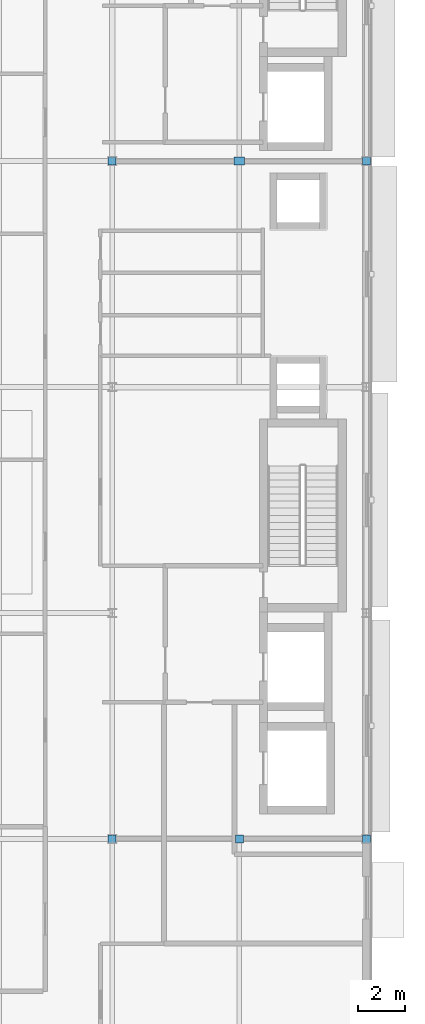
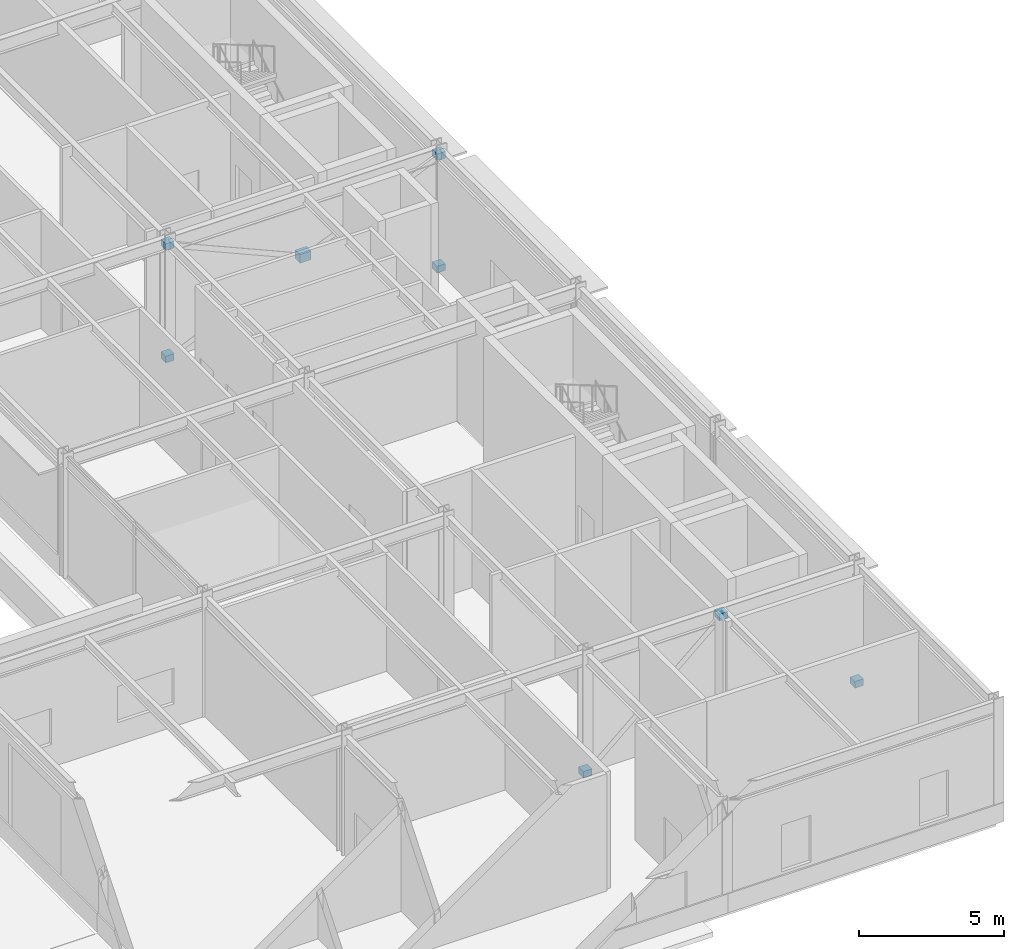
# One storey, part 116 of 168: 8 plates.
"""IFC4 building model written with IfcOpenShell, lengths in metres."""

from ifc_helpers import new_model, si_unit, direction, frame, origin, origin_2d, place, context, subcontext, project, spatial, rectangle, extrude, material, layer, layer_set, type_object, element, save


model = new_model("IFC4")

# Units and contexts
model_context = context("Model", 3, precision=1e-05, world=origin(), true_north=direction((0.0, 1.0)))
body_context = subcontext(model_context, "Body", "Model", "MODEL_VIEW")
ifc_project = project(units=[si_unit("LENGTHUNIT", "METRE"), si_unit("AREAUNIT", "SQUARE_METRE"), si_unit("VOLUMEUNIT", "CUBIC_METRE"), si_unit("PLANEANGLEUNIT", "RADIAN"), si_unit("MASSUNIT", "GRAM", prefix="KILO")], contexts=[model_context])

# Site, building, storey
site_placement = place(None, origin())
site = spatial("IfcSite", under=ifc_project, at=site_placement, CompositionType="ELEMENT")
building_placement = place(site_placement, origin())
building = spatial("IfcBuilding", under=site, at=building_placement, Name="Almandine Court Research Institute", CompositionType="ELEMENT")
storey_placement = place(building_placement, origin())
storey = spatial("IfcBuildingStorey", under=building, at=storey_placement, Name="L00", CompositionType="ELEMENT", Elevation=0.0)

# Plates
ifc_material = material(Name="Steel ASTM A36", Category="steel")
ifc_layer_1 = layer(ifc_material, 0.280029296875)
ifc_layer_set_1 = layer_set([ifc_layer_1], Name="Steel ASTM A36")
plate_type_1 = type_object("IfcPlateType", Name="Plate-NPI-03", PredefinedType="SHEET", material=ifc_layer_set_1)
for number, where, z_axis, x_axis, name in (
    (1, (163.199951171875, 15.60009765625, -0.1201171875), (0.0, 0.0, 1.0), (1.0, 0.0, 0.0), "L00 Seismic Brace Gusset Cap Plate V4-BF1-BL"),
    (2, (174.0, 15.60009765625, -0.1201171875), (0.0, 0.0, 1.0), (1.0, 0.0, 0.0), "L00 Seismic Brace Gusset Cap Plate V4-BF1-BR"),
    (3, (168.60009765625, 15.60009765625, 4.60986328125), (0.0, 0.0, 1.0), (1.0, 0.0, 0.0), "L00 Seismic Brace Gusset Cap Plate V4-BF1-AP"),
    (4, (163.199951171875, 44.39990234375, -0.1201171875), (0.0, 0.0, 1.0), (1.0, 0.0, 0.0), "L00 Seismic X-Brace Gusset Plate V4-BF2-BL"),
    (5, (174.0, 44.39990234375, -0.1201171875), (0.0, 0.0, 1.0), (1.0, 0.0, 0.0), "L00 Seismic X-Brace Gusset Plate V4-BF2-BR"),
    (6, (163.199951171875, 44.39990234375, 4.60986328125), (0.0, 0.0, 1.0), (1.0, 0.0, 0.0), "L00 Seismic X-Brace Gusset Plate V4-BF2-TL"),
    (7, (174.0, 44.39990234375, 4.60986328125), (0.0, 0.0, 1.0), (1.0, 0.0, 0.0), "L00 Seismic X-Brace Gusset Plate V4-BF2-TR"),
):
    element("IfcPlate", number, at=place(storey_placement, frame(where, z_axis=z_axis, x_axis=x_axis)), inside=storey, type_object=plate_type_1, Name=name, PredefinedType="SHEET", context=body_context, shape_type="SweptSolid", body=[
        extrude(rectangle(XDim=0.340087890625, YDim=0.340087890625, at=origin_2d()), origin(), (0.0, 0.0, 1.0), 0.280029296875),
    ])
ifc_layer_2 = layer(ifc_material, 0.360107421875)
ifc_layer_set_2 = layer_set([ifc_layer_2], Name="Steel ASTM A36")
plate_type_2 = type_object("IfcPlateType", Name="Plate-NPI-04", PredefinedType="SHEET", material=ifc_layer_set_2)
plate_placement = place(storey_placement, frame((168.60009765625, 44.39990234375, 2.205078125), z_axis=(0.0, 0.0, 1.0), x_axis=(1.0, 0.0, 0.0)))
element("IfcPlate", 8, at=plate_placement, inside=storey, type_object=plate_type_2, Name="L00 Seismic X-Brace Gusset Plate V4-BF2-AP", PredefinedType="SHEET", context=body_context, shape_type="SweptSolid", body=[
    extrude(rectangle(XDim=0.43994140625, YDim=0.340087890625, at=origin_2d()), origin(), (0.0, 0.0, 1.0), 0.360107421875),
])

save(model, "model.ifc")
